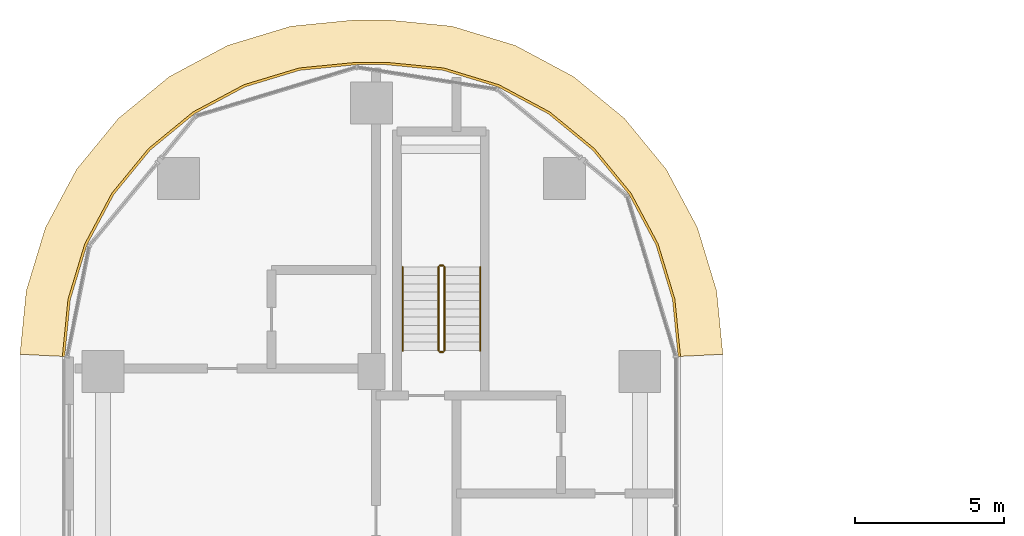
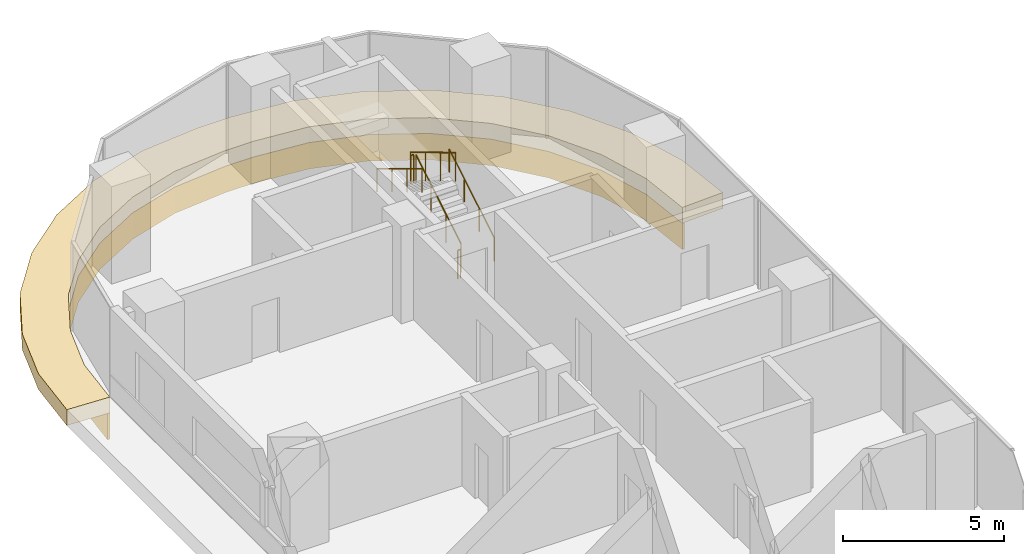
# One storey, part 36 of 39: 6 railings, 2 coverings.
"""IFC4 building model written with IfcOpenShell, lengths in metres."""

import ifcopenshell
import ifcopenshell.guid

model = None  # the IFC model being written
_history = None  # IfcOwnerHistory: only IFC2X3 demands one
_inside = {}  # id of a spatial element -> (the spatial element, [elements in it])
_under = {}  # id of a project, library or spatial element -> (it, [spatial elements below it])
_declared = {}  # id of a project -> (the project, [libraries it declares])
_typed = {}  # id of a type object -> (the type object, [elements of that type])
_made_of = {}  # id of a material, layer set ... -> (it, [elements and type objects made of it])


def new_model(schema):
    """Start an empty IFC model of exactly this schema.

    Asked for "IFC4X3", IfcOpenShell would pick the latest addendum, in which some entities
    have other attributes; the version numbers below select the first issue.
    IFC2X3 requires an IfcOwnerHistory on every rooted entity: one is made here for all.
    """
    global model, _history
    if schema == "IFC4X3":
        model = ifcopenshell.file(schema_version=(4, 3, 0, 0))
    else:
        model = ifcopenshell.file(schema=schema)
    _inside.clear()
    _under.clear()
    _declared.clear()
    _typed.clear()
    _made_of.clear()
    _history = None
    if model.schema == "IFC2X3":
        org = make("IfcOrganization", Name="unknown")
        user = make(
            "IfcPersonAndOrganization",
            ThePerson=make("IfcPerson", FamilyName="unknown"),
            TheOrganization=org,
        )
        app = make(
            "IfcApplication",
            ApplicationDeveloper=org,
            Version="unknown",
            ApplicationFullName="unknown",
            ApplicationIdentifier="unknown",
        )
        _history = make(
            "IfcOwnerHistory",
            OwningUser=user,
            OwningApplication=app,
            ChangeAction="ADDED",
            CreationDate=0,
        )
    return model


def make(cls, **values):
    """One entity of the class cls with the attributes given. An attribute that is None is left unset."""
    return model.create_entity(
        cls, **{name: value for name, value in values.items() if value is not None}
    )


def rooted(cls, **values):
    """An entity with a GlobalId (a new one), such as an element, a storey or a relation."""
    return make(cls, GlobalId=ifcopenshell.guid.new(), OwnerHistory=_history, **values)


def si_unit(unit_type, name, prefix=None):
    """IfcSIUnit, for example si_unit("LENGTHUNIT", "METRE", prefix="MILLI")."""
    return make("IfcSIUnit", UnitType=unit_type, Prefix=prefix, Name=name)


def assignment(units):
    """IfcUnitAssignment: the units of a project."""
    return None if units is None else make("IfcUnitAssignment", Units=units)


def point(xyz):
    """IfcCartesianPoint."""
    return None if xyz is None else make("IfcCartesianPoint", Coordinates=xyz)


def direction(xyz):
    """IfcDirection."""
    return None if xyz is None else make("IfcDirection", DirectionRatios=xyz)


def frame(location, z_axis=None, x_axis=None):
    """IfcAxis2Placement3D, a coordinate frame: its origin and axes. An axis left out is left unset."""
    return make(
        "IfcAxis2Placement3D",
        Location=point(location),
        Axis=direction(z_axis),
        RefDirection=direction(x_axis),
    )


def frame_2d(location, x_axis=None):
    """IfcAxis2Placement2D, a coordinate frame in the plane: its origin and x axis."""
    return make(
        "IfcAxis2Placement2D", Location=point(location), RefDirection=direction(x_axis)
    )


def origin():
    """The frame at (0, 0, 0) with its axes left unset."""
    return frame((0.0, 0.0, 0.0))


def origin_2d():
    """The frame at (0, 0) in the plane with its x axis left unset."""
    return frame_2d((0.0, 0.0))


def place(relative_to, where):
    """IfcLocalPlacement: puts the frame where relative to a parent placement (None: the world)."""
    return make(
        "IfcLocalPlacement", PlacementRelTo=relative_to, RelativePlacement=where
    )


def context(
    kind, dimensions, precision=None, world=None, true_north=None, identifier=None
):
    """IfcGeometricRepresentationContext, for example the 3D "Model" context."""
    return make(
        "IfcGeometricRepresentationContext",
        ContextIdentifier=identifier,
        ContextType=kind,
        CoordinateSpaceDimension=dimensions,
        Precision=precision,
        WorldCoordinateSystem=world,
        TrueNorth=true_north,
    )


def subcontext(parent, identifier, kind, view, scale=None):
    """IfcGeometricRepresentationSubContext, for example "Body" below "Model"."""
    return make(
        "IfcGeometricRepresentationSubContext",
        ContextIdentifier=identifier,
        ContextType=kind,
        ParentContext=parent,
        TargetScale=scale,
        TargetView=view,
    )


def project(units=None, contexts=None):
    """IfcProject with its units and contexts."""
    return rooted(
        "IfcProject",
        Name="project",
        RepresentationContexts=contexts,
        UnitsInContext=assignment(units),
    )


def spatial(cls, under=None, at=None, **own):
    """A site, building, storey or space (cls), placed at a placement, below another one or the project."""
    s = rooted(cls, ObjectPlacement=at, **own)
    if under is not None:
        _under.setdefault(under.id(), (under, []))[1].append(s)
    return s


def polyline(points):
    """IfcPolyline through the points."""
    return make("IfcPolyline", Points=[point(p) for p in points])


def profile(cls, at=None, kind="AREA", **sizes):
    """A parametric profile (cls). Its sizes go by their IFC names, for example OverallWidth=200.0."""
    return make(cls, ProfileType=kind, Position=at, **sizes)


def circle(**sizes):
    """IfcCircleProfileDef."""
    return profile("IfcCircleProfileDef", **sizes)


def outline(outer, holes=None, kind="AREA"):
    """IfcArbitraryClosedProfileDef: a profile drawn as a closed curve; with holes, ...WithVoids."""
    if holes is None:
        return make("IfcArbitraryClosedProfileDef", ProfileType=kind, OuterCurve=outer)
    return make(
        "IfcArbitraryProfileDefWithVoids",
        ProfileType=kind,
        OuterCurve=outer,
        InnerCurves=holes,
    )


def extrude(swept, where, along, depth):
    """IfcExtrudedAreaSolid: the profile swept, set in the frame where, extruded along a direction by depth."""
    return make(
        "IfcExtrudedAreaSolid",
        SweptArea=swept,
        Position=where,
        ExtrudedDirection=direction(along),
        Depth=depth,
    )


def shape(context_of_items, identifier, shape_type, items):
    """IfcShapeRepresentation: the items that make up one representation, for example the "Body"."""
    return make(
        "IfcShapeRepresentation",
        ContextOfItems=context_of_items,
        RepresentationIdentifier=identifier,
        RepresentationType=shape_type,
        Items=items,
    )


def material(Name=None, Category=None):
    """IfcMaterial."""
    return make("IfcMaterial", Name=Name, Category=Category)


def layer(
    of_material, thickness, ventilated=None, Name=None, Category=None, Priority=None
):
    """IfcMaterialLayer: one layer of a wall or slab, of a material (None: an air gap)."""
    return make(
        "IfcMaterialLayer",
        Material=of_material,
        LayerThickness=thickness,
        IsVentilated=ventilated,
        Name=Name,
        Category=Category,
        Priority=Priority,
    )


def layer_set(layers, Name=None):
    """IfcMaterialLayerSet."""
    return make("IfcMaterialLayerSet", MaterialLayers=layers, LayerSetName=Name)


def made_of(thing, what):
    """Note that an element or type object is made of a material, layer set ...; save() writes the relation."""
    if what is not None:
        _made_of.setdefault(what.id(), (what, []))[1].append(thing)
    return thing


def type_object(cls, material=None, **own):
    """A type object (cls), such as IfcWallType, which elements share."""
    return made_of(rooted(cls, **own), material)


def element(
    cls,
    number,
    at=None,
    inside=None,
    cuts=None,
    type_object=None,
    material=None,
    context=None,
    identifier="Body",
    shape_type=None,
    held_by="IfcProductDefinitionShape",
    body=None,
    shapes=None,
    **own,
):
    """One element of the class cls, such as IfcWall. Its Tag is "e" and its number.

    at: its placement. inside: the storey or other place that contains it. cuts: it is an
    opening in that element (IfcRelVoidsElement). A single representation is given by context,
    identifier, shape_type and body (its items); several are given by shapes. held_by: the class
    of the entity that holds the representations. save() writes the other relations.
    """
    e = rooted(cls, Tag="e%d" % number, ObjectPlacement=at, **own)
    if body is not None:
        shapes = [shape(context, identifier, shape_type, body)]
    if shapes is not None:
        e.Representation = make(held_by, Representations=shapes)
    if inside is not None:
        _inside.setdefault(inside.id(), (inside, []))[1].append(e)
    if cuts is not None:
        rooted(
            "IfcRelVoidsElement", RelatingBuildingElement=cuts, RelatedOpeningElement=e
        )
    if type_object is not None:
        _typed.setdefault(type_object.id(), (type_object, []))[1].append(e)
    return made_of(e, material)


def aggregate(whole, parts):
    """IfcRelAggregates: a whole, such as a stair, and the parts it consists of."""
    return rooted("IfcRelAggregates", RelatingObject=whole, RelatedObjects=parts)


def save(model, path):
    """Write the relations noted so far, then the file.

    IfcRelAggregates (storeys below a building ...), IfcRelContainedInSpatialStructure (elements
    in a storey), IfcRelDefinesByType, IfcRelAssociatesMaterial and IfcRelDeclares: one each for
    every whole, place, type object, material and project.
    """
    for whole, parts in _under.values():
        aggregate(whole, parts)
    for where, things in _inside.values():
        rooted(
            "IfcRelContainedInSpatialStructure",
            RelatedElements=things,
            RelatingStructure=where,
        )
    for kind, things in _typed.values():
        rooted("IfcRelDefinesByType", RelatedObjects=things, RelatingType=kind)
    for what, things in _made_of.values():
        rooted("IfcRelAssociatesMaterial", RelatedObjects=things, RelatingMaterial=what)
    for by, libraries in _declared.values():
        rooted("IfcRelDeclares", RelatingContext=by, RelatedDefinitions=libraries)
    model.write(path)


model = new_model("IFC4")

# Units and contexts
model_context = context("Model", 3, precision=1e-05, world=origin(), true_north=direction((0.0, 1.0)))
body_context = subcontext(model_context, "Body", "Model", "MODEL_VIEW")
ifc_project = project(units=[si_unit("LENGTHUNIT", "METRE"), si_unit("AREAUNIT", "SQUARE_METRE"), si_unit("VOLUMEUNIT", "CUBIC_METRE"), si_unit("PLANEANGLEUNIT", "RADIAN"), si_unit("MASSUNIT", "GRAM", prefix="KILO")], contexts=[model_context])

# Site, building, storey
site_placement = place(None, origin())
site = spatial("IfcSite", under=ifc_project, at=site_placement, CompositionType="ELEMENT")
building_placement = place(site_placement, origin())
building = spatial("IfcBuilding", under=site, at=building_placement, Name="Ogive Portal Towers", CompositionType="ELEMENT")
storey_placement = place(building_placement, frame((0.0, 0.0, 44.60009765625)))
storey = spatial("IfcBuildingStorey", under=building, at=storey_placement, Name="L09", CompositionType="ELEMENT", Elevation=44.60009765625)

# Railings
ifc_material_1 = material(Name="Stainless steel balustrade", Category="steel")
railing_type_1 = type_object("IfcRailingType", Name="INT-GUARD", PredefinedType="GUARDRAIL", material=ifc_material_1)
railing_1_placement = place(storey_placement, frame((42.949951171875, 67.199951171875, 0.16796875)))
element("IfcRailing", 1, at=railing_1_placement, inside=storey, type_object=railing_type_1, Name="L09 ST-A3 stair guard 1", PredefinedType="GUARDRAIL", context=body_context, shape_type="SweptSolid", body=[
    extrude(circle(Radius=0.02392578125, at=origin_2d()), frame((0.0, 0.0, 1.076171875), z_axis=(0.0, 0.857242210791, 0.514913383045), x_axis=(-1.0, 0.0, 0.0)), (0.0, 0.0, 1.0), 3.266357421875),
    extrude(circle(Radius=0.02099609375, at=origin_2d()), origin(), (0.0, 0.0, 1.0), 1.052001953125),
    extrude(circle(Radius=0.02099609375, at=origin_2d()), frame((0.0, 0.933349609375, 0.560546875)), (0.0, 0.0, 1.0), 1.052001953125),
    extrude(circle(Radius=0.02099609375, at=origin_2d()), frame((0.0, 1.86669921875, 1.121337890625)), (0.0, 0.0, 1.0), 1.052001953125),
    extrude(circle(Radius=0.02099609375, at=origin_2d()), frame((0.0, 2.800048828125, 1.681884765625)), (0.0, 0.0, 1.0), 1.052001953125),
])
railing_2_placement = place(storey_placement, frame((42.89990234375, 70.050048828125, 1.849853515625)))
element("IfcRailing", 2, at=railing_2_placement, inside=storey, type_object=railing_type_1, Name="L09 ST-A3 stair guard 2", PredefinedType="GUARDRAIL", context=body_context, shape_type="SweptSolid", body=[
    extrude(circle(Radius=0.02392578125, at=origin_2d()), frame((0.0, 0.0, 1.076171875), z_axis=(-1.0, 0.0, 0.0), x_axis=(0.0, -1.0, 0.0)), (0.0, 0.0, 1.0), 0.099853515625),
    extrude(circle(Radius=0.02099609375, at=origin_2d()), origin(), (0.0, 0.0, 1.0), 1.052001953125),
    extrude(circle(Radius=0.02099609375, at=origin_2d()), frame((-0.099853515625, 0.0, 0.0)), (0.0, 0.0, 1.0), 1.052001953125),
])
railing_3_placement = place(storey_placement, frame((42.75, 70.0, 2.01806640625)))
element("IfcRailing", 3, at=railing_3_placement, inside=storey, type_object=railing_type_1, Name="L09 ST-A3 stair guard 3", PredefinedType="GUARDRAIL", context=body_context, shape_type="SweptSolid", body=[
    extrude(circle(Radius=0.02392578125, at=origin_2d()), frame((0.0, 0.0, 1.076171875), z_axis=(0.0, -0.857242210791, 0.514913383045), x_axis=(1.0, 0.0, 0.0)), (0.0, 0.0, 1.0), 3.266357421875),
    extrude(circle(Radius=0.02099609375, at=origin_2d()), origin(), (0.0, 0.0, 1.0), 1.052001953125),
    extrude(circle(Radius=0.02099609375, at=origin_2d()), frame((0.0, -0.933349609375, 0.560546875)), (0.0, 0.0, 1.0), 1.052001953125),
    extrude(circle(Radius=0.02099609375, at=origin_2d()), frame((0.0, -1.86669921875, 1.121337890625)), (0.0, 0.0, 1.0), 1.052001953125),
    extrude(circle(Radius=0.02099609375, at=origin_2d()), frame((0.0, -2.800048828125, 1.681884765625)), (0.0, 0.0, 1.0), 1.052001953125),
])
railing_4_placement = place(storey_placement, frame((42.89990234375, 67.14990234375, 0.0)))
element("IfcRailing", 4, at=railing_4_placement, inside=storey, type_object=railing_type_1, Name="L09 ST-A3 stair guard 4", PredefinedType="GUARDRAIL", context=body_context, shape_type="SweptSolid", body=[
    extrude(circle(Radius=0.02392578125, at=origin_2d()), frame((0.0, 0.0, 1.076171875), z_axis=(-1.0, 0.0, 0.0), x_axis=(0.0, -1.0, 0.0)), (0.0, 0.0, 1.0), 0.099853515625),
    extrude(circle(Radius=0.02099609375, at=origin_2d()), origin(), (0.0, 0.0, 1.0), 1.052001953125),
    extrude(circle(Radius=0.02099609375, at=origin_2d()), frame((-0.099853515625, 0.0, 0.0)), (0.0, 0.0, 1.0), 1.052001953125),
])
ifc_material_2 = material(Name="Stainless steel handrail", Category="steel")
railing_type_2 = type_object("IfcRailingType", Name="INT-HANDRAIL", PredefinedType="HANDRAIL", material=ifc_material_2)
railing_5_placement = place(storey_placement, frame((44.14990234375, 67.199951171875, 0.16796875)))
element("IfcRailing", 5, at=railing_5_placement, inside=storey, type_object=railing_type_2, Name="L09 ST-A3 stair handrail 1", PredefinedType="HANDRAIL", context=body_context, shape_type="SweptSolid", body=[
    extrude(circle(Radius=0.02392578125, at=origin_2d()), frame((0.0, 0.0, 0.8759765625), z_axis=(0.0, 0.857242210791, 0.514913383045), x_axis=(-1.0, 0.0, 0.0)), (0.0, 0.0, 1.0), 3.266357421875),
    extrude(circle(Radius=0.02099609375, at=origin_2d()), origin(), (0.0, 0.0, 1.0), 0.851806640625),
    extrude(circle(Radius=0.02099609375, at=origin_2d()), frame((0.0, 0.933349609375, 0.560546875)), (0.0, 0.0, 1.0), 0.851806640625),
    extrude(circle(Radius=0.02099609375, at=origin_2d()), frame((0.0, 1.86669921875, 1.121337890625)), (0.0, 0.0, 1.0), 0.851806640625),
    extrude(circle(Radius=0.02099609375, at=origin_2d()), frame((0.0, 2.800048828125, 1.681884765625)), (0.0, 0.0, 1.0), 0.851806640625),
])
railing_6_placement = place(storey_placement, frame((41.550048828125, 70.0, 2.01806640625)))
element("IfcRailing", 6, at=railing_6_placement, inside=storey, type_object=railing_type_2, Name="L09 ST-A3 stair handrail 2", PredefinedType="HANDRAIL", context=body_context, shape_type="SweptSolid", body=[
    extrude(circle(Radius=0.02392578125, at=origin_2d()), frame((0.0, 0.0, 0.8759765625), z_axis=(0.0, -0.857242210791, 0.514913383045), x_axis=(1.0, 0.0, 0.0)), (0.0, 0.0, 1.0), 3.266357421875),
    extrude(circle(Radius=0.02099609375, at=origin_2d()), origin(), (0.0, 0.0, 1.0), 0.851806640625),
    extrude(circle(Radius=0.02099609375, at=origin_2d()), frame((0.0, -0.933349609375, 0.560546875)), (0.0, 0.0, 1.0), 0.851806640625),
    extrude(circle(Radius=0.02099609375, at=origin_2d()), frame((0.0, -1.86669921875, 1.121337890625)), (0.0, 0.0, 1.0), 0.851806640625),
    extrude(circle(Radius=0.02099609375, at=origin_2d()), frame((0.0, -2.800048828125, 1.681884765625)), (0.0, 0.0, 1.0), 0.851806640625),
])

# Coverings
ifc_material_3 = material(Name="Limestone cladding on lightweight block wall", Category="masonry")
ifc_layer_1 = layer(ifc_material_3, 0.080078125)
ifc_layer_set_1 = layer_set([ifc_layer_1], Name="STONE SPANDREL 80")
covering_type_1 = type_object("IfcCoveringType", Name="STONE SPANDREL 80", PredefinedType="CLADDING", material=ifc_layer_set_1)
covering_1_placement = place(storey_placement, frame((0.0, 0.0, -1.60009765625)))
element("IfcCovering", 7, at=covering_1_placement, inside=storey, type_object=covering_type_1, Name="Stone spandrel A1-F12", PredefinedType="CLADDING", context=body_context, shape_type="SweptSolid", body=[
    extrude(outline(polyline([(50.784912109375, 67.0), (50.596923828125, 68.908935546875), (50.040283203125, 70.74462890625), (49.135986328125, 72.436279296875), (47.9189453125, 73.9189453125), (46.436279296875, 75.135986328125), (44.74462890625, 76.040283203125), (42.908935546875, 76.596923828125), (41.0, 76.784912109375), (40.0, 76.784912109375), (38.091064453125, 76.596923828125), (36.25537109375, 76.040283203125), (34.563720703125, 75.135986328125), (33.0810546875, 73.9189453125), (31.864013671875, 72.436279296875), (30.959716796875, 70.74462890625), (30.403076171875, 68.908935546875), (30.215087890625, 67.0), (30.135009765625, 67.00390625), (30.32421875, 68.924560546875), (30.885498046875, 70.775390625), (31.797119140625, 72.48095703125), (33.024169921875, 73.975830078125), (34.51904296875, 75.202880859375), (36.224609375, 76.114501953125), (38.075439453125, 76.67578125), (39.99609375, 76.864990234375), (41.00390625, 76.864990234375), (42.924560546875, 76.67578125), (44.775390625, 76.114501953125), (46.48095703125, 75.202880859375), (47.975830078125, 73.975830078125), (49.202880859375, 72.48095703125), (50.114501953125, 70.775390625), (50.67578125, 68.924560546875), (50.864990234375, 67.00390625), (50.784912109375, 67.0)])), origin(), (0.0, 0.0, 1.0), 1.0),
])
ifc_layer_2 = layer(ifc_material_3, 0.60009765625)
ifc_layer_set_2 = layer_set([ifc_layer_2], Name="SUNSHADE LIP 600")
covering_type_2 = type_object("IfcCoveringType", Name="SUNSHADE LIP 600", PredefinedType="CLADDING", material=ifc_layer_set_2)
covering_2_placement = place(storey_placement, frame((0.0, 0.0, -0.60009765625)))
element("IfcCovering", 8, at=covering_2_placement, inside=storey, type_object=covering_type_2, Name="Sunshade lip A1-F12", PredefinedType="CLADDING", context=body_context, shape_type="SweptSolid", body=[
    extrude(outline(polyline([(50.784912109375, 67.0), (50.596923828125, 68.908935546875), (50.040283203125, 70.74462890625), (49.135986328125, 72.436279296875), (47.9189453125, 73.9189453125), (46.436279296875, 75.135986328125), (44.74462890625, 76.040283203125), (42.908935546875, 76.596923828125), (41.0, 76.784912109375), (40.0, 76.784912109375), (38.091064453125, 76.596923828125), (36.25537109375, 76.040283203125), (34.563720703125, 75.135986328125), (33.0810546875, 73.9189453125), (31.864013671875, 72.436279296875), (30.959716796875, 70.74462890625), (30.403076171875, 68.908935546875), (30.215087890625, 67.0), (28.715087890625, 67.07373046875), (28.9248046875, 69.203125), (29.5673828125, 71.3212890625), (30.61083984375, 73.273681640625), (32.01513671875, 74.98486328125), (33.726318359375, 76.38916015625), (35.6787109375, 77.4326171875), (37.796875, 78.0751953125), (39.92626953125, 78.284912109375), (41.07373046875, 78.284912109375), (43.203125, 78.0751953125), (45.3212890625, 77.4326171875), (47.273681640625, 76.38916015625), (48.98486328125, 74.98486328125), (50.38916015625, 73.273681640625), (51.4326171875, 71.3212890625), (52.0751953125, 69.203125), (52.284912109375, 67.07373046875), (50.784912109375, 67.0)])), origin(), (0.0, 0.0, 1.0), 0.60009765625),
])

save(model, "model.ifc")
